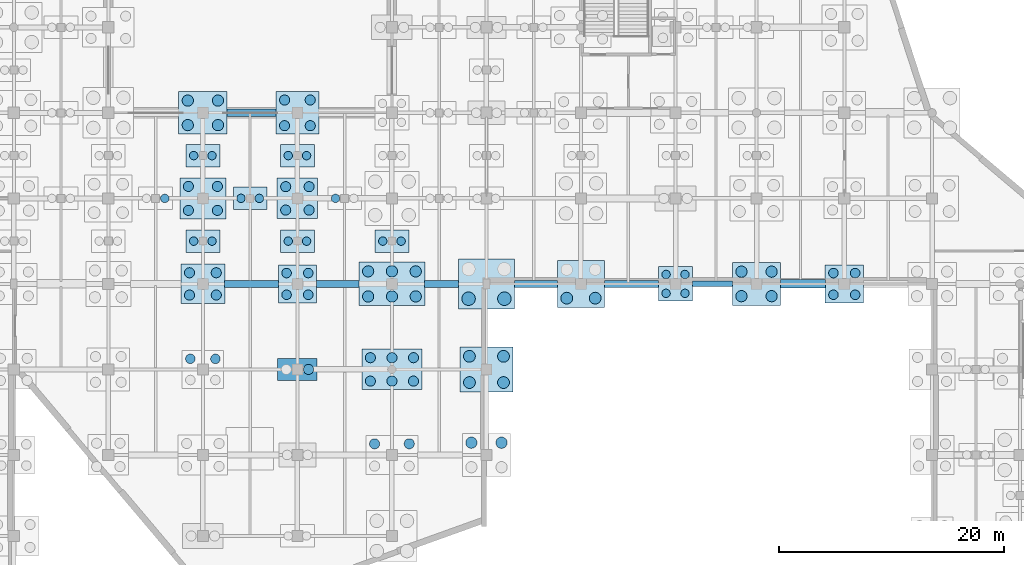
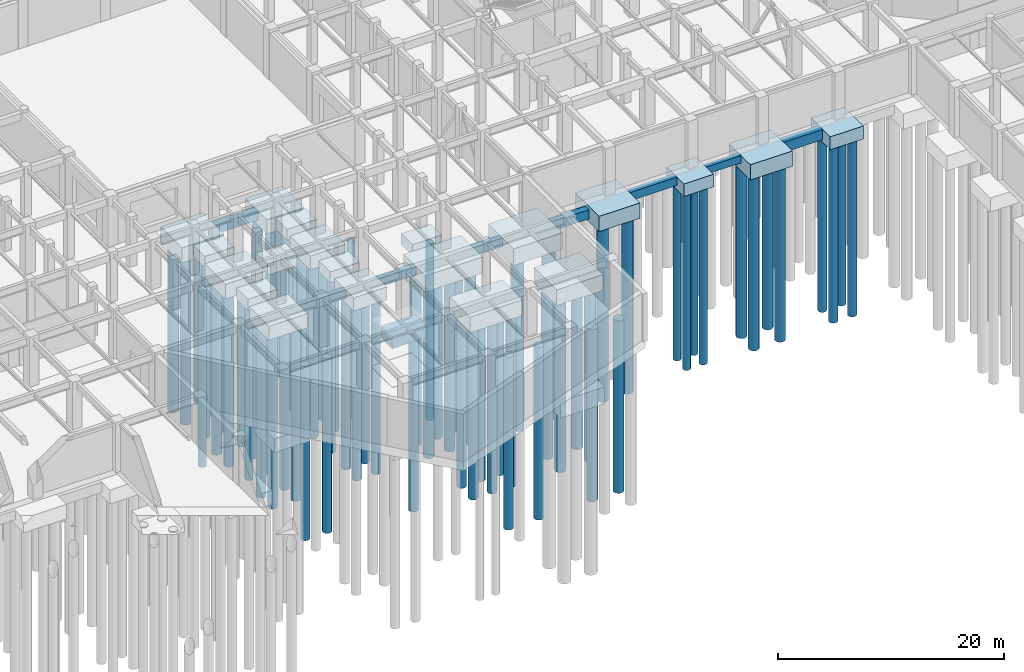
# One storey, part 5 of 52: 77 piles, 29 footings.
"""IFC4 building model written with IfcOpenShell, lengths in metres."""

from ifc_helpers import new_model, si_unit, direction, frame, origin, origin_2d, place, context, subcontext, project, spatial, rectangle, circle, extrude, material, material_profile, profile_set, type_object, element, save


model = new_model("IFC4")

# Units and contexts
model_context = context("Model", 3, precision=1e-05, world=origin(), true_north=direction((0.0, 1.0)))
body_context = subcontext(model_context, "Body", "Model", "MODEL_VIEW")
ifc_project = project(units=[si_unit("LENGTHUNIT", "METRE"), si_unit("AREAUNIT", "SQUARE_METRE"), si_unit("VOLUMEUNIT", "CUBIC_METRE"), si_unit("PLANEANGLEUNIT", "RADIAN"), si_unit("MASSUNIT", "GRAM", prefix="KILO")], contexts=[model_context])

# Site, building, storey
site_placement = place(None, origin())
site = spatial("IfcSite", under=ifc_project, at=site_placement, CompositionType="ELEMENT")
building_placement = place(site_placement, origin())
building = spatial("IfcBuilding", under=site, at=building_placement, Name="Xicomal Pleat Aquarium", CompositionType="ELEMENT")
storey_placement = place(building_placement, frame((0.0, 0.0, -5.39990234375)))
storey = spatial("IfcBuildingStorey", under=building, at=storey_placement, Name="B1", CompositionType="ELEMENT", Elevation=-5.39990234375)

# Footings
ifc_material_1 = material(Name="Concrete C40/50", Category="concrete")
ifc_material_profile_1 = material_profile(ifc_material_1, rectangle(XDim=0.5, YDim=0.800048828125, at=origin_2d()), Name="FB-01 500x800")
ifc_profile_set_1 = profile_set([ifc_material_profile_1], Name="Concrete C40/50")
footing_type_1 = type_object("IfcFootingType", Name="FTG-FB-500x800", PredefinedType="FOOTING_BEAM", material=ifc_profile_set_1)
footing_1_placement = place(storey_placement, frame((112.514892578125, 30.39990234375, -1.0), z_axis=(1.0, 0.0, 0.0), x_axis=(0.0, 1.0, 0.0)))
element("IfcFooting", 1, at=footing_1_placement, inside=storey, type_object=footing_type_1, Name="Foundation tie beam 14-15/E", PredefinedType="FOOTING_BEAM", context=body_context, shape_type="SweptSolid", body=[
    extrude(rectangle(XDim=0.5, YDim=0.800048828125, at=origin_2d()), origin(), (0.0, 0.0, 1.0), 3.545166015625),
])
ifc_material_2 = material(Name="Concrete C40/50", Category="concrete")
ifc_material_profile_2 = material_profile(ifc_material_2, rectangle(XDim=0.60009765625, YDim=0.89990234375, at=origin_2d()), Name="FB-02 600x900")
ifc_profile_set_2 = profile_set([ifc_material_profile_2], Name="Concrete C40/50")
footing_type_2 = type_object("IfcFootingType", Name="FTG-FB-600x900", PredefinedType="FOOTING_BEAM", material=ifc_profile_set_2)
footing_2_placement = place(storey_placement, frame((70.93994140625, 30.39990234375, -1.400146484375), z_axis=(1.0, 0.0, 0.0), x_axis=(0.0, 1.0, 0.0)))
element("IfcFooting", 2, at=footing_2_placement, inside=storey, type_object=footing_type_2, Name="Foundation tie beam 09-10/E", PredefinedType="FOOTING_BEAM", context=body_context, shape_type="SweptSolid", body=[
    extrude(rectangle(XDim=0.60009765625, YDim=0.89990234375, at=origin_2d()), origin(), (0.0, 0.0, 1.0), 4.77001953125),
])
footing_3_placement = place(storey_placement, frame((79.090087890625, 30.39990234375, -1.400146484375), z_axis=(1.0, 0.0, 0.0), x_axis=(0.0, 1.0, 0.0)))
element("IfcFooting", 3, at=footing_3_placement, inside=storey, type_object=footing_type_2, Name="Foundation tie beam 10-11/E", PredefinedType="FOOTING_BEAM", context=body_context, shape_type="SweptSolid", body=[
    extrude(rectangle(XDim=0.60009765625, YDim=0.89990234375, at=origin_2d()), origin(), (0.0, 0.0, 1.0), 3.794921875),
])
footing_4_placement = place(storey_placement, frame((88.715087890625, 30.39990234375, -1.400146484375), z_axis=(1.0, 0.0, 0.0), x_axis=(0.0, 1.0, 0.0)))
element("IfcFooting", 4, at=footing_4_placement, inside=storey, type_object=footing_type_2, Name="Foundation tie beam 11-12/E", PredefinedType="FOOTING_BEAM", context=body_context, shape_type="SweptSolid", body=[
    extrude(rectangle(XDim=0.60009765625, YDim=0.89990234375, at=origin_2d()), origin(), (0.0, 0.0, 1.0), 2.994873046875),
])
footing_5_placement = place(storey_placement, frame((104.68994140625, 30.39990234375, -1.050048828125), z_axis=(1.0, 0.0, 0.0), x_axis=(0.0, 1.0, 0.0)))
element("IfcFooting", 5, at=footing_5_placement, inside=storey, type_object=footing_type_2, Name="Foundation tie beam 13-14/E", PredefinedType="FOOTING_BEAM", context=body_context, shape_type="SweptSolid", body=[
    extrude(rectangle(XDim=0.60009765625, YDim=0.89990234375, at=origin_2d()), origin(), (0.0, 0.0, 1.0), 4.795166015625),
])
ifc_material_3 = material(Name="Concrete C40/50", Category="concrete")
ifc_material_profile_3 = material_profile(ifc_material_3, rectangle(XDim=0.64990234375, YDim=1.0, at=origin_2d()), Name="FB-03 650x1000")
ifc_profile_set_3 = profile_set([ifc_material_profile_3], Name="Concrete C40/50")
footing_type_3 = type_object("IfcFootingType", Name="FTG-FB-650x1000", PredefinedType="FOOTING_BEAM", material=ifc_profile_set_3)
footing_6_placement = place(storey_placement, frame((71.139892578125, 45.60009765625, -2.050048828125), z_axis=(1.0, 0.0, 0.0), x_axis=(0.0, 1.0, 0.0)))
element("IfcFooting", 6, at=footing_6_placement, inside=storey, type_object=footing_type_3, Name="Foundation tie beam 09-10/G", PredefinedType="FOOTING_BEAM", context=body_context, shape_type="SweptSolid", body=[
    extrude(rectangle(XDim=0.64990234375, YDim=1.0, at=origin_2d()), origin(), (0.0, 0.0, 1.0), 4.3701171875),
])
footing_7_placement = place(storey_placement, frame((96.68994140625, 30.39990234375, -1.4501953125), z_axis=(1.0, 0.0, 0.0), x_axis=(0.0, 1.0, 0.0)))
element("IfcFooting", 7, at=footing_7_placement, inside=storey, type_object=footing_type_3, Name="Foundation tie beam 12-13/E", PredefinedType="FOOTING_BEAM", context=body_context, shape_type="SweptSolid", body=[
    extrude(rectangle(XDim=0.64990234375, YDim=1.0, at=origin_2d()), origin(), (0.0, 0.0, 1.0), 3.820068359375),
])
ifc_material_4 = material(Name="Concrete C40/50", Category="concrete")
ifc_material_profile_4 = material_profile(ifc_material_4, rectangle(XDim=0.75, YDim=1.10009765625, at=origin_2d()), Name="FB-04 750x1100")
ifc_profile_set_4 = profile_set([ifc_material_profile_4], Name="Concrete C40/50")
footing_type_4 = type_object("IfcFootingType", Name="FTG-FB-750x1100", PredefinedType="FOOTING_BEAM", material=ifc_profile_set_4)
footing_8_placement = place(storey_placement, frame((120.340087890625, 30.39990234375, -1.150146484375), z_axis=(1.0, 0.0, 0.0), x_axis=(0.0, 1.0, 0.0)))
element("IfcFooting", 8, at=footing_8_placement, inside=storey, type_object=footing_type_4, Name="Foundation tie beam 15-16/E", PredefinedType="FOOTING_BEAM", context=body_context, shape_type="SweptSolid", body=[
    extrude(rectangle(XDim=0.75, YDim=1.10009765625, at=origin_2d()), origin(), (0.0, 0.0, 1.0), 3.969970703125),
])
ifc_material_5 = material(Name="Concrete C40/50", Category="concrete")
footing_type_5 = type_object("IfcFootingType", Name="FTG-PC-3000x2000x1200", PredefinedType="PILE_CAP", material=ifc_material_5)
for number, where, z_axis, x_axis, name in (
    (9, (73.199951171875, 38.0, -2.14990234375), (0.0, 0.0, 1.0), (1.0, 0.0, 0.0), "Pile cap SUB-12"),
    (10, (69.0, 34.199951171875, -2.14990234375), (0.0, 0.0, 1.0), (1.0, 0.0, 0.0), "Pile cap SUB-44"),
    (11, (69.0, 41.800048828125, -2.14990234375), (0.0, 0.0, 1.0), (1.0, 0.0, 0.0), "Pile cap SUB-45"),
    (12, (77.39990234375, 34.199951171875, -2.14990234375), (0.0, 0.0, 1.0), (1.0, 0.0, 0.0), "Pile cap SUB-47"),
    (13, (77.39990234375, 41.800048828125, -2.14990234375), (0.0, 0.0, 1.0), (1.0, 0.0, 0.0), "Pile cap SUB-48"),
    (14, (85.800048828125, 34.199951171875, -2.14990234375), (0.0, 0.0, 1.0), (1.0, 0.0, 0.0), "Pile cap SUB-50"),
):
    element("IfcFooting", number, at=place(storey_placement, frame(where, z_axis=z_axis, x_axis=x_axis)), inside=storey, type_object=footing_type_5, Name=name, PredefinedType="PILE_CAP", context=body_context, shape_type="SweptSolid", body=[
        extrude(rectangle(XDim=3.0, YDim=2.0, at=origin_2d()), origin(), (0.0, 0.0, 1.0), 1.199951171875),
    ])
ifc_material_6 = material(Name="Concrete C40/50", Category="concrete")
footing_type_6 = type_object("IfcFootingType", Name="FTG-PC-3050x3050x1350", PredefinedType="PILE_CAP", material=ifc_material_6)
footing_9_placement = place(storey_placement, frame((111.0, 30.39990234375, -1.9501953125), z_axis=(0.0, 0.0, 1.0), x_axis=(1.0, 0.0, 0.0)))
element("IfcFooting", 15, at=footing_9_placement, inside=storey, type_object=footing_type_6, Name="Pile cap 14-E", PredefinedType="PILE_CAP", context=body_context, shape_type="SweptSolid", body=[
    extrude(rectangle(XDim=3.050048828125, YDim=3.050048828125, at=origin_2d()), origin(), (0.0, 0.0, 1.0), 1.35009765625),
])
ifc_material_7 = material(Name="Concrete C40/50", Category="concrete")
footing_type_7 = type_object("IfcFootingType", Name="FTG-PC-3400x3400x1400", PredefinedType="PILE_CAP", material=ifc_material_7)
for number, where, z_axis, x_axis, name in (
    (16, (77.39990234375, 30.39990234375, -2.35009765625), (0.0, 0.0, 1.0), (1.0, 0.0, 0.0), "Pile cap 10-E"),
    (17, (126.0, 30.39990234375, -2.0), (0.0, 0.0, 1.0), (1.0, 0.0, 0.0), "Pile cap 16-E"),
):
    element("IfcFooting", number, at=place(storey_placement, frame(where, z_axis=z_axis, x_axis=x_axis)), inside=storey, type_object=footing_type_7, Name=name, PredefinedType="PILE_CAP", context=body_context, shape_type="SweptSolid", body=[
        extrude(rectangle(XDim=3.39990234375, YDim=3.39990234375, at=origin_2d()), origin(), (0.0, 0.0, 1.0), 1.39990234375),
    ])
ifc_material_8 = material(Name="Concrete C40/50", Category="concrete")
footing_type_8 = type_object("IfcFootingType", Name="FTG-PC-3500x1950x1300", PredefinedType="PILE_CAP", material=ifc_material_8)
footing_10_placement = place(storey_placement, frame((77.39990234375, 22.800048828125, -2.25), z_axis=(0.0, 0.0, 1.0), x_axis=(1.0, 0.0, 0.0)))
element("IfcFooting", 18, at=footing_10_placement, inside=storey, type_object=footing_type_8, Name="Pile cap 10-D", PredefinedType="PILE_CAP", context=body_context, shape_type="SweptSolid", body=[
    extrude(rectangle(XDim=3.5, YDim=1.949951171875, at=origin_2d()), origin(), (0.0, 0.0, 1.0), 1.300048828125),
])
ifc_material_9 = material(Name="Concrete C40/50", Category="concrete")
footing_type_9 = type_object("IfcFootingType", Name="FTG-PC-3600x3600x1500", PredefinedType="PILE_CAP", material=ifc_material_9)
footing_11_placement = place(storey_placement, frame((77.39990234375, 38.0, -2.4501953125), z_axis=(0.0, 0.0, 1.0), x_axis=(1.0, 0.0, 0.0)))
element("IfcFooting", 19, at=footing_11_placement, inside=storey, type_object=footing_type_9, Name="Pile cap 10-F", PredefinedType="PILE_CAP", context=body_context, shape_type="SweptSolid", body=[
    extrude(rectangle(XDim=3.60009765625, YDim=3.60009765625, at=origin_2d()), origin(), (0.0, 0.0, 1.0), 1.5),
])
ifc_material_10 = material(Name="Concrete C40/50", Category="concrete")
footing_type_10 = type_object("IfcFootingType", Name="FTG-PC-3800x3800x1550", PredefinedType="PILE_CAP", material=ifc_material_10)
footing_12_placement = place(storey_placement, frame((77.39990234375, 45.60009765625, -3.10009765625), z_axis=(0.0, 0.0, 1.0), x_axis=(1.0, 0.0, 0.0)))
element("IfcFooting", 20, at=footing_12_placement, inside=storey, type_object=footing_type_10, Name="Pile cap 10-G", PredefinedType="PILE_CAP", context=body_context, shape_type="SweptSolid", body=[
    extrude(rectangle(XDim=3.800048828125, YDim=3.800048828125, at=origin_2d()), origin(), (0.0, 0.0, 1.0), 1.550048828125),
])
ifc_material_11 = material(Name="Concrete C40/50", Category="concrete")
footing_type_11 = type_object("IfcFootingType", Name="FTG-PC-3900x3500x1500", PredefinedType="PILE_CAP", material=ifc_material_11)
footing_13_placement = place(storey_placement, frame((69.0, 30.39990234375, -2.4501953125), z_axis=(0.0, 0.0, 1.0), x_axis=(1.0, 0.0, 0.0)))
element("IfcFooting", 21, at=footing_13_placement, inside=storey, type_object=footing_type_11, Name="Pile cap 09-E", PredefinedType="PILE_CAP", context=body_context, shape_type="SweptSolid", body=[
    extrude(rectangle(XDim=3.89990234375, YDim=3.5, at=origin_2d()), origin(), (0.0, 0.0, 1.0), 1.5),
])
ifc_material_12 = material(Name="Concrete C40/50", Category="concrete")
footing_type_12 = type_object("IfcFootingType", Name="FTG-PC-4100x3650x1600", PredefinedType="PILE_CAP", material=ifc_material_12)
footing_14_placement = place(storey_placement, frame((69.0, 38.0, -2.550048828125), z_axis=(0.0, 0.0, 1.0), x_axis=(1.0, 0.0, 0.0)))
element("IfcFooting", 22, at=footing_14_placement, inside=storey, type_object=footing_type_12, Name="Pile cap 09-F", PredefinedType="PILE_CAP", context=body_context, shape_type="SweptSolid", body=[
    extrude(rectangle(XDim=4.10009765625, YDim=3.64990234375, at=origin_2d()), origin(), (0.0, 0.0, 1.0), 1.60009765625),
])
ifc_material_13 = material(Name="Concrete C40/50", Category="concrete")
footing_type_13 = type_object("IfcFootingType", Name="FTG-PC-4200x4200x1650", PredefinedType="PILE_CAP", material=ifc_material_13)
footing_15_placement = place(storey_placement, frame((102.60009765625, 30.39990234375, -2.25), z_axis=(0.0, 0.0, 1.0), x_axis=(1.0, 0.0, 0.0)))
element("IfcFooting", 23, at=footing_15_placement, inside=storey, type_object=footing_type_13, Name="Pile cap 13-E", PredefinedType="PILE_CAP", context=body_context, shape_type="SweptSolid", body=[
    extrude(rectangle(XDim=4.199951171875, YDim=4.199951171875, at=origin_2d()), origin(), (0.0, 0.0, 1.0), 1.64990234375),
])
ifc_material_14 = material(Name="Concrete C40/50", Category="concrete")
footing_type_14 = type_object("IfcFootingType", Name="FTG-PC-4300x3800x1650", PredefinedType="PILE_CAP", material=ifc_material_14)
for number, where, z_axis, x_axis, name in (
    (24, (69.0, 45.60009765625, -3.199951171875), (0.0, 0.0, 1.0), (1.0, 0.0, 0.0), "Pile cap 09-G"),
    (25, (118.199951171875, 30.39990234375, -2.25), (0.0, 0.0, 1.0), (1.0, 0.0, 0.0), "Pile cap 15-E"),
):
    element("IfcFooting", number, at=place(storey_placement, frame(where, z_axis=z_axis, x_axis=x_axis)), inside=storey, type_object=footing_type_14, Name=name, PredefinedType="PILE_CAP", context=body_context, shape_type="SweptSolid", body=[
        extrude(rectangle(XDim=4.300048828125, YDim=3.800048828125, at=origin_2d()), origin(), (0.0, 0.0, 1.0), 1.64990234375),
    ])
ifc_material_15 = material(Name="Concrete C40/50", Category="concrete")
footing_type_15 = type_object("IfcFootingType", Name="FTG-PC-4700x4000x1700", PredefinedType="PILE_CAP", material=ifc_material_15)
footing_16_placement = place(storey_placement, frame((94.199951171875, 22.800048828125, -2.64990234375), z_axis=(0.0, 0.0, 1.0), x_axis=(1.0, 0.0, 0.0)))
element("IfcFooting", 26, at=footing_16_placement, inside=storey, type_object=footing_type_15, Name="Pile cap 12-D", PredefinedType="PILE_CAP", context=body_context, shape_type="SweptSolid", body=[
    extrude(rectangle(XDim=4.699951171875, YDim=4.0, at=origin_2d()), origin(), (0.0, 0.0, 1.0), 1.699951171875),
])
ifc_material_16 = material(Name="Concrete C40/50", Category="concrete")
footing_type_16 = type_object("IfcFootingType", Name="FTG-PC-5000x4450x1800", PredefinedType="PILE_CAP", material=ifc_material_16)
footing_17_placement = place(storey_placement, frame((94.199951171875, 30.39990234375, -2.75), z_axis=(0.0, 0.0, 1.0), x_axis=(1.0, 0.0, 0.0)))
element("IfcFooting", 27, at=footing_17_placement, inside=storey, type_object=footing_type_16, Name="Pile cap 12-E", PredefinedType="PILE_CAP", context=body_context, shape_type="SweptSolid", body=[
    extrude(rectangle(XDim=5.0, YDim=4.449951171875, at=origin_2d()), origin(), (0.0, 0.0, 1.0), 1.800048828125),
])
ifc_material_17 = material(Name="Concrete C40/50", Category="concrete")
footing_type_17 = type_object("IfcFootingType", Name="FTG-PC-5350x3600x1700", PredefinedType="PILE_CAP", material=ifc_material_17)
footing_18_placement = place(storey_placement, frame((85.800048828125, 22.800048828125, -2.64990234375), z_axis=(0.0, 0.0, 1.0), x_axis=(1.0, 0.0, 0.0)))
element("IfcFooting", 28, at=footing_18_placement, inside=storey, type_object=footing_type_17, Name="Pile cap 11-D", PredefinedType="PILE_CAP", context=body_context, shape_type="SweptSolid", body=[
    extrude(rectangle(XDim=5.35009765625, YDim=3.60009765625, at=origin_2d()), origin(), (0.0, 0.0, 1.0), 1.699951171875),
])
ifc_material_18 = material(Name="Concrete C40/50", Category="concrete")
footing_type_18 = type_object("IfcFootingType", Name="FTG-PC-5850x3850x1750", PredefinedType="PILE_CAP", material=ifc_material_18)
footing_19_placement = place(storey_placement, frame((85.800048828125, 30.39990234375, -2.7001953125), z_axis=(0.0, 0.0, 1.0), x_axis=(1.0, 0.0, 0.0)))
element("IfcFooting", 29, at=footing_19_placement, inside=storey, type_object=footing_type_18, Name="Pile cap 11-E", PredefinedType="PILE_CAP", context=body_context, shape_type="SweptSolid", body=[
    extrude(rectangle(XDim=5.85009765625, YDim=3.85009765625, at=origin_2d()), origin(), (0.0, 0.0, 1.0), 1.75),
])

# Piles
ifc_material_19 = material(Name="Concrete C40/50", Category="concrete")
ifc_material_profile_5 = material_profile(ifc_material_19, circle(Radius=0.5, at=origin_2d()), Name="BORED PILE D1000")
ifc_profile_set_5 = profile_set([ifc_material_profile_5], Name="Concrete C40/50")
pile_type_1 = type_object("IfcPileType", Name="PIL-B-1000", PredefinedType="BORED", material=ifc_profile_set_5)
for number, where, z_axis, x_axis, name in (
    (30, (67.659912109375, 44.510009765625, -3.10009765625), (0.0, 0.0, -1.0), (1.0, 0.0, 0.0), "Bored pile 09-G-1"),
    (31, (70.340087890625, 44.510009765625, -3.10009765625), (0.0, 0.0, -1.0), (1.0, 0.0, 0.0), "Bored pile 09-G-2"),
    (32, (67.659912109375, 46.68994140625, -3.10009765625), (0.0, 0.0, -1.0), (1.0, 0.0, 0.0), "Bored pile 09-G-3"),
    (33, (70.340087890625, 46.68994140625, -3.10009765625), (0.0, 0.0, -1.0), (1.0, 0.0, 0.0), "Bored pile 09-G-4"),
):
    element("IfcPile", number, at=place(storey_placement, frame(where, z_axis=z_axis, x_axis=x_axis)), inside=storey, type_object=pile_type_1, Name=name, PredefinedType="BORED", context=body_context, shape_type="SweptSolid", body=[
        extrude(circle(Radius=0.5, at=origin_2d()), origin(), (0.0, 0.0, 1.0), 18.0),
    ])
for number, where, z_axis, x_axis, name in (
    (34, (83.68505859375, 29.284912109375, -2.60009765625), (0.0, 0.0, -1.0), (1.0, 0.0, 0.0), "Bored pile 11-E-1"),
    (35, (85.800048828125, 29.284912109375, -2.60009765625), (0.0, 0.0, -1.0), (1.0, 0.0, 0.0), "Bored pile 11-E-2"),
    (36, (87.9150390625, 29.284912109375, -2.60009765625), (0.0, 0.0, -1.0), (1.0, 0.0, 0.0), "Bored pile 11-E-3"),
    (37, (83.68505859375, 31.514892578125, -2.60009765625), (0.0, 0.0, -1.0), (1.0, 0.0, 0.0), "Bored pile 11-E-4"),
    (38, (85.800048828125, 31.514892578125, -2.60009765625), (0.0, 0.0, -1.0), (1.0, 0.0, 0.0), "Bored pile 11-E-5"),
    (39, (87.9150390625, 31.514892578125, -2.60009765625), (0.0, 0.0, -1.0), (1.0, 0.0, 0.0), "Bored pile 11-E-6"),
):
    element("IfcPile", number, at=place(storey_placement, frame(where, z_axis=z_axis, x_axis=x_axis)), inside=storey, type_object=pile_type_1, Name=name, PredefinedType="BORED", context=body_context, shape_type="SweptSolid", body=[
        extrude(circle(Radius=0.5, at=origin_2d()), origin(), (0.0, 0.0, 1.0), 18.5),
    ])
for number, where, z_axis, x_axis, name in (
    (40, (92.860107421875, 16.2900390625, -2.5), (0.0, 0.0, -1.0), (1.0, 0.0, 0.0), "Bored pile 12-C-3"),
    (41, (95.5400390625, 16.2900390625, -2.5), (0.0, 0.0, -1.0), (1.0, 0.0, 0.0), "Bored pile 12-C-4"),
):
    element("IfcPile", number, at=place(storey_placement, frame(where, z_axis=z_axis, x_axis=x_axis)), inside=storey, type_object=pile_type_1, Name=name, PredefinedType="BORED", context=body_context, shape_type="SweptSolid", body=[
        extrude(circle(Radius=0.5, at=origin_2d()), origin(), (0.0, 0.0, 1.0), 18.60009765625),
    ])
for number, where, z_axis, x_axis, name in (
    (42, (116.860107421875, 29.31005859375, -2.150146484375), (0.0, 0.0, -1.0), (1.0, 0.0, 0.0), "Bored pile 15-E-1"),
    (43, (119.5400390625, 29.31005859375, -2.150146484375), (0.0, 0.0, -1.0), (1.0, 0.0, 0.0), "Bored pile 15-E-2"),
    (44, (116.860107421875, 31.489990234375, -2.150146484375), (0.0, 0.0, -1.0), (1.0, 0.0, 0.0), "Bored pile 15-E-3"),
    (45, (119.5400390625, 31.489990234375, -2.150146484375), (0.0, 0.0, -1.0), (1.0, 0.0, 0.0), "Bored pile 15-E-4"),
):
    element("IfcPile", number, at=place(storey_placement, frame(where, z_axis=z_axis, x_axis=x_axis)), inside=storey, type_object=pile_type_1, Name=name, PredefinedType="BORED", context=body_context, shape_type="SweptSolid", body=[
        extrude(circle(Radius=0.5, at=origin_2d()), origin(), (0.0, 0.0, 1.0), 18.949951171875),
    ])
ifc_material_20 = material(Name="Concrete C40/50", Category="concrete")
ifc_material_profile_6 = material_profile(ifc_material_20, circle(Radius=0.52490234375, at=origin_2d()), Name="BORED PILE D1050")
ifc_profile_set_6 = profile_set([ifc_material_profile_6], Name="Concrete C40/50")
pile_type_2 = type_object("IfcPileType", Name="PIL-B-1050", PredefinedType="BORED", material=ifc_profile_set_6)
for number, where, z_axis, x_axis, name in (
    (46, (92.68505859375, 21.635009765625, -2.550048828125), (0.0, 0.0, -1.0), (1.0, 0.0, 0.0), "Bored pile 12-D-1"),
    (47, (95.715087890625, 21.635009765625, -2.550048828125), (0.0, 0.0, -1.0), (1.0, 0.0, 0.0), "Bored pile 12-D-2"),
    (48, (92.68505859375, 23.965087890625, -2.550048828125), (0.0, 0.0, -1.0), (1.0, 0.0, 0.0), "Bored pile 12-D-3"),
    (49, (95.715087890625, 23.965087890625, -2.550048828125), (0.0, 0.0, -1.0), (1.0, 0.0, 0.0), "Bored pile 12-D-4"),
):
    element("IfcPile", number, at=place(storey_placement, frame(where, z_axis=z_axis, x_axis=x_axis)), inside=storey, type_object=pile_type_2, Name=name, PredefinedType="BORED", context=body_context, shape_type="SweptSolid", body=[
        extrude(circle(Radius=0.52490234375, at=origin_2d()), origin(), (0.0, 0.0, 1.0), 18.550048828125),
    ])
for number, where, z_axis, x_axis, name in (
    (50, (101.3349609375, 29.135009765625, -2.150146484375), (0.0, 0.0, -1.0), (1.0, 0.0, 0.0), "Bored pile 13-E-1"),
    (51, (103.864990234375, 29.135009765625, -2.150146484375), (0.0, 0.0, -1.0), (1.0, 0.0, 0.0), "Bored pile 13-E-2"),
):
    element("IfcPile", number, at=place(storey_placement, frame(where, z_axis=z_axis, x_axis=x_axis)), inside=storey, type_object=pile_type_2, Name=name, PredefinedType="BORED", context=body_context, shape_type="SweptSolid", body=[
        extrude(circle(Radius=0.52490234375, at=origin_2d()), origin(), (0.0, 0.0, 1.0), 18.949951171875),
    ])
ifc_material_21 = material(Name="Concrete C40/50", Category="concrete")
ifc_material_profile_7 = material_profile(ifc_material_21, circle(Radius=0.60009765625, at=origin_2d()), Name="BORED PILE D1200")
ifc_profile_set_7 = profile_set([ifc_material_profile_7], Name="Concrete C40/50")
pile_type_3 = type_object("IfcPileType", Name="PIL-B-1200", PredefinedType="BORED", material=ifc_profile_set_7)
for number, where, z_axis, x_axis, name in (
    (52, (92.610107421875, 29.0849609375, -2.650146484375), (0.0, 0.0, -1.0), (1.0, 0.0, 0.0), "Bored pile 12-E-1"),
    (53, (95.7900390625, 29.0849609375, -2.650146484375), (0.0, 0.0, -1.0), (1.0, 0.0, 0.0), "Bored pile 12-E-2"),
):
    element("IfcPile", number, at=place(storey_placement, frame(where, z_axis=z_axis, x_axis=x_axis)), inside=storey, type_object=pile_type_3, Name=name, PredefinedType="BORED", context=body_context, shape_type="SweptSolid", body=[
        extrude(circle(Radius=0.60009765625, at=origin_2d()), origin(), (0.0, 0.0, 1.0), 18.449951171875),
    ])
ifc_material_22 = material(Name="Concrete C40/50", Category="concrete")
ifc_material_profile_8 = material_profile(ifc_material_22, circle(Radius=0.375, at=origin_2d()), Name="BORED PILE D750")
ifc_profile_set_8 = profile_set([ifc_material_profile_8], Name="Concrete C40/50")
pile_type_4 = type_object("IfcPileType", Name="PIL-B-750", PredefinedType="BORED", material=ifc_profile_set_8)
for number, where, z_axis, x_axis, name in (
    (54, (110.159912109375, 29.56005859375, -1.85009765625), (0.0, 0.0, -1.0), (1.0, 0.0, 0.0), "Bored pile 14-E-1"),
    (55, (111.840087890625, 29.56005859375, -1.85009765625), (0.0, 0.0, -1.0), (1.0, 0.0, 0.0), "Bored pile 14-E-2"),
    (56, (110.159912109375, 31.239990234375, -1.85009765625), (0.0, 0.0, -1.0), (1.0, 0.0, 0.0), "Bored pile 14-E-3"),
    (57, (111.840087890625, 31.239990234375, -1.85009765625), (0.0, 0.0, -1.0), (1.0, 0.0, 0.0), "Bored pile 14-E-4"),
):
    element("IfcPile", number, at=place(storey_placement, frame(where, z_axis=z_axis, x_axis=x_axis)), inside=storey, type_object=pile_type_4, Name=name, PredefinedType="BORED", context=body_context, shape_type="SweptSolid", body=[
        extrude(circle(Radius=0.375, at=origin_2d()), origin(), (0.0, 0.0, 1.0), 19.25),
    ])
for number, where, z_axis, x_axis, name in (
    (58, (65.614990234375, 38.0, -2.050048828125), (0.0, 0.0, -1.0), (1.0, 0.0, 0.0), "Bored pile SUB-11-2"),
    (59, (72.385009765625, 38.0, -2.050048828125), (0.0, 0.0, -1.0), (1.0, 0.0, 0.0), "Bored pile SUB-12-1"),
    (60, (74.014892578125, 38.0, -2.050048828125), (0.0, 0.0, -1.0), (1.0, 0.0, 0.0), "Bored pile SUB-12-2"),
    (61, (80.784912109375, 38.0, -2.050048828125), (0.0, 0.0, -1.0), (1.0, 0.0, 0.0), "Bored pile SUB-13-1"),
    (62, (68.18505859375, 34.199951171875, -2.050048828125), (0.0, 0.0, -1.0), (1.0, 0.0, 0.0), "Bored pile SUB-44-1"),
    (63, (69.81494140625, 34.199951171875, -2.050048828125), (0.0, 0.0, -1.0), (1.0, 0.0, 0.0), "Bored pile SUB-44-2"),
    (64, (68.18505859375, 41.800048828125, -2.050048828125), (0.0, 0.0, -1.0), (1.0, 0.0, 0.0), "Bored pile SUB-45-1"),
    (65, (69.81494140625, 41.800048828125, -2.050048828125), (0.0, 0.0, -1.0), (1.0, 0.0, 0.0), "Bored pile SUB-45-2"),
    (66, (76.5849609375, 34.199951171875, -2.050048828125), (0.0, 0.0, -1.0), (1.0, 0.0, 0.0), "Bored pile SUB-47-1"),
    (67, (78.215087890625, 34.199951171875, -2.050048828125), (0.0, 0.0, -1.0), (1.0, 0.0, 0.0), "Bored pile SUB-47-2"),
    (68, (76.5849609375, 41.800048828125, -2.050048828125), (0.0, 0.0, -1.0), (1.0, 0.0, 0.0), "Bored pile SUB-48-1"),
    (69, (78.215087890625, 41.800048828125, -2.050048828125), (0.0, 0.0, -1.0), (1.0, 0.0, 0.0), "Bored pile SUB-48-2"),
    (70, (84.985107421875, 34.199951171875, -2.050048828125), (0.0, 0.0, -1.0), (1.0, 0.0, 0.0), "Bored pile SUB-50-1"),
    (71, (86.614990234375, 34.199951171875, -2.050048828125), (0.0, 0.0, -1.0), (1.0, 0.0, 0.0), "Bored pile SUB-50-2"),
):
    element("IfcPile", number, at=place(storey_placement, frame(where, z_axis=z_axis, x_axis=x_axis)), inside=storey, type_object=pile_type_4, Name=name, PredefinedType="BORED", context=body_context, shape_type="SweptSolid", body=[
        extrude(circle(Radius=0.375, at=origin_2d()), origin(), (0.0, 0.0, 1.0), 19.050048828125),
    ])
ifc_material_23 = material(Name="Concrete C40/50", Category="concrete")
ifc_material_profile_9 = material_profile(ifc_material_23, circle(Radius=0.425048828125, at=origin_2d()), Name="BORED PILE D850")
ifc_profile_set_9 = profile_set([ifc_material_profile_9], Name="Concrete C40/50")
pile_type_5 = type_object("IfcPileType", Name="PIL-B-850", PredefinedType="BORED", material=ifc_profile_set_9)
for number, where, z_axis, x_axis, name in (
    (72, (67.885009765625, 23.739990234375, -2.300048828125), (0.0, 0.0, -1.0), (1.0, 0.0, 0.0), "Bored pile 09-D-3"),
    (73, (70.114990234375, 23.739990234375, -2.300048828125), (0.0, 0.0, -1.0), (1.0, 0.0, 0.0), "Bored pile 09-D-4"),
):
    element("IfcPile", number, at=place(storey_placement, frame(where, z_axis=z_axis, x_axis=x_axis)), inside=storey, type_object=pile_type_5, Name=name, PredefinedType="BORED", context=body_context, shape_type="SweptSolid", body=[
        extrude(circle(Radius=0.425048828125, at=origin_2d()), origin(), (0.0, 0.0, 1.0), 18.800048828125),
    ])
for number, where, z_axis, x_axis, name in (
    (74, (76.43505859375, 29.43505859375, -2.25), (0.0, 0.0, -1.0), (1.0, 0.0, 0.0), "Bored pile 10-E-1"),
    (75, (78.364990234375, 29.43505859375, -2.25), (0.0, 0.0, -1.0), (1.0, 0.0, 0.0), "Bored pile 10-E-2"),
    (76, (76.43505859375, 31.364990234375, -2.25), (0.0, 0.0, -1.0), (1.0, 0.0, 0.0), "Bored pile 10-E-3"),
    (77, (78.364990234375, 31.364990234375, -2.25), (0.0, 0.0, -1.0), (1.0, 0.0, 0.0), "Bored pile 10-E-4"),
):
    element("IfcPile", number, at=place(storey_placement, frame(where, z_axis=z_axis, x_axis=x_axis)), inside=storey, type_object=pile_type_5, Name=name, PredefinedType="BORED", context=body_context, shape_type="SweptSolid", body=[
        extrude(circle(Radius=0.425048828125, at=origin_2d()), origin(), (0.0, 0.0, 1.0), 18.85009765625),
    ])
for number, where, z_axis, x_axis, name in (
    (78, (125.034912109375, 29.43505859375, -1.900146484375), (0.0, 0.0, -1.0), (1.0, 0.0, 0.0), "Bored pile 16-E-1"),
    (79, (126.965087890625, 29.43505859375, -1.900146484375), (0.0, 0.0, -1.0), (1.0, 0.0, 0.0), "Bored pile 16-E-2"),
    (80, (125.034912109375, 31.364990234375, -1.900146484375), (0.0, 0.0, -1.0), (1.0, 0.0, 0.0), "Bored pile 16-E-3"),
    (81, (126.965087890625, 31.364990234375, -1.900146484375), (0.0, 0.0, -1.0), (1.0, 0.0, 0.0), "Bored pile 16-E-4"),
):
    element("IfcPile", number, at=place(storey_placement, frame(where, z_axis=z_axis, x_axis=x_axis)), inside=storey, type_object=pile_type_5, Name=name, PredefinedType="BORED", context=body_context, shape_type="SweptSolid", body=[
        extrude(circle(Radius=0.425048828125, at=origin_2d()), origin(), (0.0, 0.0, 1.0), 19.199951171875),
    ])
ifc_material_24 = material(Name="Concrete C40/50", Category="concrete")
ifc_material_profile_10 = material_profile(ifc_material_24, circle(Radius=0.449951171875, at=origin_2d()), Name="BORED PILE D900")
ifc_profile_set_10 = profile_set([ifc_material_profile_10], Name="Concrete C40/50")
pile_type_6 = type_object("IfcPileType", Name="PIL-B-900", PredefinedType="BORED", material=ifc_profile_set_10)
for number, where, z_axis, x_axis, name in (
    (82, (67.81005859375, 29.409912109375, -2.35009765625), (0.0, 0.0, -1.0), (1.0, 0.0, 0.0), "Bored pile 09-E-1"),
    (83, (70.18994140625, 29.409912109375, -2.35009765625), (0.0, 0.0, -1.0), (1.0, 0.0, 0.0), "Bored pile 09-E-2"),
    (84, (67.81005859375, 31.389892578125, -2.35009765625), (0.0, 0.0, -1.0), (1.0, 0.0, 0.0), "Bored pile 09-E-3"),
    (85, (70.18994140625, 31.389892578125, -2.35009765625), (0.0, 0.0, -1.0), (1.0, 0.0, 0.0), "Bored pile 09-E-4"),
):
    element("IfcPile", number, at=place(storey_placement, frame(where, z_axis=z_axis, x_axis=x_axis)), inside=storey, type_object=pile_type_6, Name=name, PredefinedType="BORED", context=body_context, shape_type="SweptSolid", body=[
        extrude(circle(Radius=0.449951171875, at=origin_2d()), origin(), (0.0, 0.0, 1.0), 18.75),
    ])
for number, where, z_axis, x_axis, name in (
    (86, (67.7099609375, 36.93505859375, -2.4501953125), (0.0, 0.0, -1.0), (1.0, 0.0, 0.0), "Bored pile 09-F-1"),
    (87, (70.2900390625, 36.93505859375, -2.4501953125), (0.0, 0.0, -1.0), (1.0, 0.0, 0.0), "Bored pile 09-F-2"),
    (88, (67.7099609375, 39.06494140625, -2.4501953125), (0.0, 0.0, -1.0), (1.0, 0.0, 0.0), "Bored pile 09-F-3"),
    (89, (70.2900390625, 39.06494140625, -2.4501953125), (0.0, 0.0, -1.0), (1.0, 0.0, 0.0), "Bored pile 09-F-4"),
):
    element("IfcPile", number, at=place(storey_placement, frame(where, z_axis=z_axis, x_axis=x_axis)), inside=storey, type_object=pile_type_6, Name=name, PredefinedType="BORED", context=body_context, shape_type="SweptSolid", body=[
        extrude(circle(Radius=0.449951171875, at=origin_2d()), origin(), (0.0, 0.0, 1.0), 18.64990234375),
    ])
pile_placement = place(storey_placement, frame((78.389892578125, 22.800048828125, -2.150146484375), z_axis=(0.0, 0.0, -1.0), x_axis=(1.0, 0.0, 0.0)))
element("IfcPile", 90, at=pile_placement, inside=storey, type_object=pile_type_6, Name="Bored pile 10-D-2", PredefinedType="BORED", context=body_context, shape_type="SweptSolid", body=[
    extrude(circle(Radius=0.449951171875, at=origin_2d()), origin(), (0.0, 0.0, 1.0), 18.949951171875),
])
for number, where, z_axis, x_axis, name in (
    (91, (76.360107421875, 36.9599609375, -2.35009765625), (0.0, 0.0, -1.0), (1.0, 0.0, 0.0), "Bored pile 10-F-1"),
    (92, (78.43994140625, 36.9599609375, -2.35009765625), (0.0, 0.0, -1.0), (1.0, 0.0, 0.0), "Bored pile 10-F-2"),
    (93, (76.360107421875, 39.0400390625, -2.35009765625), (0.0, 0.0, -1.0), (1.0, 0.0, 0.0), "Bored pile 10-F-3"),
    (94, (78.43994140625, 39.0400390625, -2.35009765625), (0.0, 0.0, -1.0), (1.0, 0.0, 0.0), "Bored pile 10-F-4"),
):
    element("IfcPile", number, at=place(storey_placement, frame(where, z_axis=z_axis, x_axis=x_axis)), inside=storey, type_object=pile_type_6, Name=name, PredefinedType="BORED", context=body_context, shape_type="SweptSolid", body=[
        extrude(circle(Radius=0.449951171875, at=origin_2d()), origin(), (0.0, 0.0, 1.0), 18.75),
    ])
for number, where, z_axis, x_axis, name in (
    (95, (76.260009765625, 44.4599609375, -3.0), (0.0, 0.0, -1.0), (1.0, 0.0, 0.0), "Bored pile 10-G-1"),
    (96, (78.5400390625, 44.4599609375, -3.0), (0.0, 0.0, -1.0), (1.0, 0.0, 0.0), "Bored pile 10-G-2"),
    (97, (76.260009765625, 46.739990234375, -3.0), (0.0, 0.0, -1.0), (1.0, 0.0, 0.0), "Bored pile 10-G-3"),
    (98, (78.5400390625, 46.739990234375, -3.0), (0.0, 0.0, -1.0), (1.0, 0.0, 0.0), "Bored pile 10-G-4"),
):
    element("IfcPile", number, at=place(storey_placement, frame(where, z_axis=z_axis, x_axis=x_axis)), inside=storey, type_object=pile_type_6, Name=name, PredefinedType="BORED", context=body_context, shape_type="SweptSolid", body=[
        extrude(circle(Radius=0.449951171875, at=origin_2d()), origin(), (0.0, 0.0, 1.0), 18.10009765625),
    ])
for number, where, z_axis, x_axis, name in (
    (99, (84.260009765625, 16.18994140625, -2.4501953125), (0.0, 0.0, -1.0), (1.0, 0.0, 0.0), "Bored pile 11-C-3"),
    (100, (87.340087890625, 16.18994140625, -2.4501953125), (0.0, 0.0, -1.0), (1.0, 0.0, 0.0), "Bored pile 11-C-4"),
):
    element("IfcPile", number, at=place(storey_placement, frame(where, z_axis=z_axis, x_axis=x_axis)), inside=storey, type_object=pile_type_6, Name=name, PredefinedType="BORED", context=body_context, shape_type="SweptSolid", body=[
        extrude(circle(Radius=0.449951171875, at=origin_2d()), origin(), (0.0, 0.0, 1.0), 18.64990234375),
    ])
for number, where, z_axis, x_axis, name in (
    (101, (83.885009765625, 21.760009765625, -2.550048828125), (0.0, 0.0, -1.0), (1.0, 0.0, 0.0), "Bored pile 11-D-1"),
    (102, (85.800048828125, 21.760009765625, -2.550048828125), (0.0, 0.0, -1.0), (1.0, 0.0, 0.0), "Bored pile 11-D-2"),
    (103, (87.715087890625, 21.760009765625, -2.550048828125), (0.0, 0.0, -1.0), (1.0, 0.0, 0.0), "Bored pile 11-D-3"),
    (104, (83.885009765625, 23.840087890625, -2.550048828125), (0.0, 0.0, -1.0), (1.0, 0.0, 0.0), "Bored pile 11-D-4"),
    (105, (85.800048828125, 23.840087890625, -2.550048828125), (0.0, 0.0, -1.0), (1.0, 0.0, 0.0), "Bored pile 11-D-5"),
    (106, (87.715087890625, 23.840087890625, -2.550048828125), (0.0, 0.0, -1.0), (1.0, 0.0, 0.0), "Bored pile 11-D-6"),
):
    element("IfcPile", number, at=place(storey_placement, frame(where, z_axis=z_axis, x_axis=x_axis)), inside=storey, type_object=pile_type_6, Name=name, PredefinedType="BORED", context=body_context, shape_type="SweptSolid", body=[
        extrude(circle(Radius=0.449951171875, at=origin_2d()), origin(), (0.0, 0.0, 1.0), 18.550048828125),
    ])

save(model, "model.ifc")
